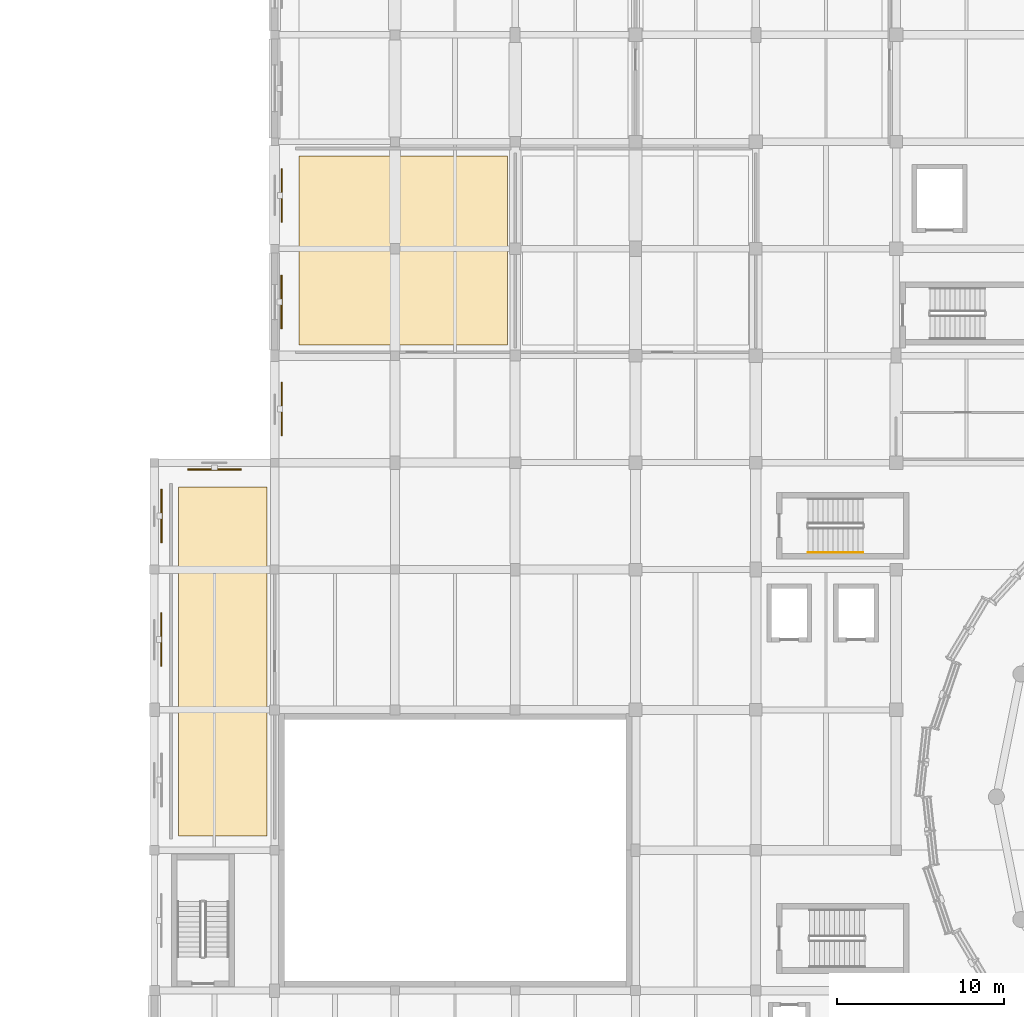
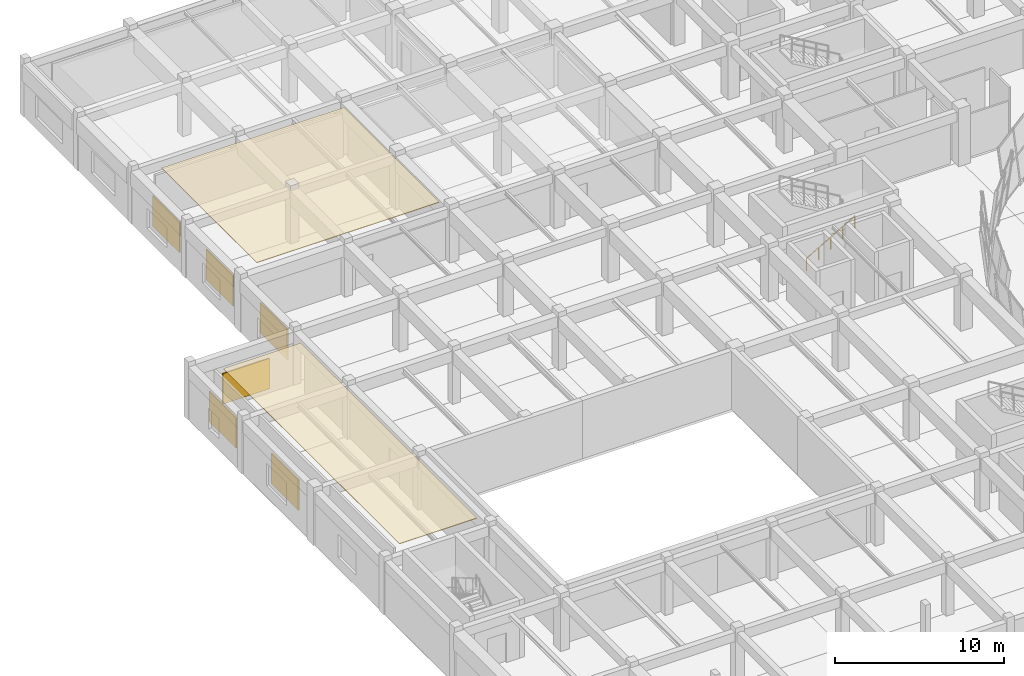
# One storey, part 65 of 71: 6 shading devices, 2 coverings, 1 railing.
"""IFC4 building model written with IfcOpenShell, lengths in metres."""

from ifc_helpers import new_model, si_unit, direction, frame, origin, origin_2d, place, context, subcontext, project, spatial, polyline, rectangle, circle, outline, extrude, material, layer, layer_set, type_object, element, save


model = new_model("IFC4")

# Units and contexts
model_context = context("Model", 3, precision=1e-05, world=origin(), true_north=direction((0.0, 1.0)))
body_context = subcontext(model_context, "Body", "Model", "MODEL_VIEW")
ifc_project = project(units=[si_unit("LENGTHUNIT", "METRE"), si_unit("AREAUNIT", "SQUARE_METRE"), si_unit("VOLUMEUNIT", "CUBIC_METRE"), si_unit("PLANEANGLEUNIT", "RADIAN"), si_unit("MASSUNIT", "GRAM", prefix="KILO")], contexts=[model_context])

# Site, building, storey
site_placement = place(None, origin())
site = spatial("IfcSite", under=ifc_project, at=site_placement, CompositionType="ELEMENT")
building_placement = place(site_placement, origin())
building = spatial("IfcBuilding", under=site, at=building_placement, Name="Korsvaeld Concert Hall", CompositionType="ELEMENT")
storey_placement = place(building_placement, frame((0.0, 0.0, 4.800048828125)))
storey = spatial("IfcBuildingStorey", under=building, at=storey_placement, Name="L01", CompositionType="ELEMENT", Elevation=4.800048828125)

# Coverings
ifc_material_1 = material(Name="Suspended sculpted European oak acoustic ceiling")
ifc_layer_1 = layer(ifc_material_1, 0.044921875)
ifc_layer_set_1 = layer_set([ifc_layer_1], Name="Suspended sculpted European oak acoustic ceiling")
covering_type = type_object("IfcCoveringType", Name="COV-CEIL-OAK", PredefinedType="CEILING", material=ifc_layer_set_1)
covering_1_placement = place(storey_placement, frame((0.0, 0.0, 3.8349609375)))
element("IfcCovering", 1, at=covering_1_placement, inside=storey, type_object=covering_type, Name="Acoustic oak reflector ceiling L01-14", PredefinedType="CEILING", context=body_context, shape_type="SweptSolid", body=[
    extrude(outline(polyline([(15.85009765625, 60.85009765625), (15.85009765625, 81.75), (21.14990234375, 81.75), (21.14990234375, 60.85009765625), (15.85009765625, 60.85009765625)])), origin(), (0.0, 0.0, 1.0), 0.044921875),
])
covering_2_placement = place(storey_placement, frame((0.0, 0.0, 3.8349609375)))
element("IfcCovering", 2, at=covering_2_placement, inside=storey, type_object=covering_type, Name="Acoustic oak reflector ceiling L01-16", PredefinedType="CEILING", context=body_context, shape_type="SweptSolid", body=[
    extrude(outline(polyline([(23.050048828125, 101.550048828125), (35.550048828125, 101.550048828125), (35.550048828125, 90.25), (23.050048828125, 90.25), (23.050048828125, 101.550048828125)])), origin(), (0.0, 0.0, 1.0), 0.044921875),
])

# Railing
ifc_material_2 = material(Name="European oak and bronze stair handrail")
railing_type = type_object("IfcRailingType", Name="RL-STAIR-HAND-90", PredefinedType="HANDRAIL", material=ifc_material_2)
railing_placement = place(storey_placement, frame((53.52001953125, 77.820068359375, 0.175048828125)))
element("IfcRailing", 3, at=railing_placement, inside=storey, type_object=railing_type, Name="L01 ST-K1 stair handrail 1", PredefinedType="HANDRAIL", context=body_context, shape_type="SweptSolid", body=[
    extrude(circle(Radius=0.02392578125, at=origin_2d()), frame((0.0, 0.0, 0.8759765625), z_axis=(0.863804395585, 0.0, 0.503827317807), x_axis=(0.0, 1.0, 0.0)), (0.0, 0.0, 1.0), 3.8203125),
    extrude(circle(Radius=0.02099609375, at=origin_2d()), origin(), (0.0, 0.0, 1.0), 0.851806640625),
    extrude(circle(Radius=0.02099609375, at=origin_2d()), frame((0.824951171875, 0.0, 0.481201171875)), (0.0, 0.0, 1.0), 0.851806640625),
    extrude(circle(Radius=0.02099609375, at=origin_2d()), frame((1.64990234375, 0.0, 0.96240234375)), (0.0, 0.0, 1.0), 0.851806640625),
    extrude(circle(Radius=0.02099609375, at=origin_2d()), frame((2.47509765625, 0.0, 1.443603515625)), (0.0, 0.0, 1.0), 0.851806640625),
    extrude(circle(Radius=0.02099609375, at=origin_2d()), frame((3.300048828125, 0.0, 1.9248046875)), (0.0, 0.0, 1.0), 0.851806640625),
])

# Shading devices
ifc_material_3 = material(Name="Anodised architectural bronze pierced jali screen")
ifc_layer_2 = layer(ifc_material_3, 0.080078125)
ifc_layer_set_2 = layer_set([ifc_layer_2], Name="Anodised architectural bronze pierced jali screen")
shading_device_type = type_object("IfcShadingDeviceType", Name="SHD-JALI-BRONZE", PredefinedType="JALOUSIE", material=ifc_layer_set_2)
for number, where, z_axis, x_axis, name in (
    (4, (14.81494140625, 72.60009765625, 0.5), (0.0, 0.0, 1.0), (0.0, 1.0, 0.0), "Bronze pierced jali brise-soleil screen L01-05"),
    (5, (14.830078125, 80.0, 0.5), (0.0, 0.0, 1.0), (0.0, 1.0, 0.0), "Bronze pierced jali brise-soleil screen L01-06"),
    (6, (18.0, 82.784912109375, 0.5), (0.0, 0.0, 1.0), (1.0, 0.0, 0.0), "Bronze pierced jali brise-soleil screen L01-07"),
    (7, (22.030029296875, 86.39990234375, 0.5), (0.0, 0.0, 1.0), (0.0, 1.0, 0.0), "Bronze pierced jali brise-soleil screen L01-08"),
    (8, (22.014892578125, 92.800048828125, 0.5), (0.0, 0.0, 1.0), (0.0, 1.0, 0.0), "Bronze pierced jali brise-soleil screen L01-09"),
    (9, (22.030029296875, 99.199951171875, 0.5), (0.0, 0.0, 1.0), (0.0, 1.0, 0.0), "Bronze pierced jali brise-soleil screen L01-10"),
):
    element("IfcShadingDevice", number, at=place(storey_placement, frame(where, z_axis=z_axis, x_axis=x_axis)), inside=storey, type_object=shading_device_type, Name=name, PredefinedType="JALOUSIE", context=body_context, shape_type="SweptSolid", body=[
        extrude(rectangle(XDim=3.199951171875, YDim=0.080078125, at=origin_2d()), origin(), (0.0, 0.0, 1.0), 2.199951171875),
    ])

save(model, "model.ifc")
